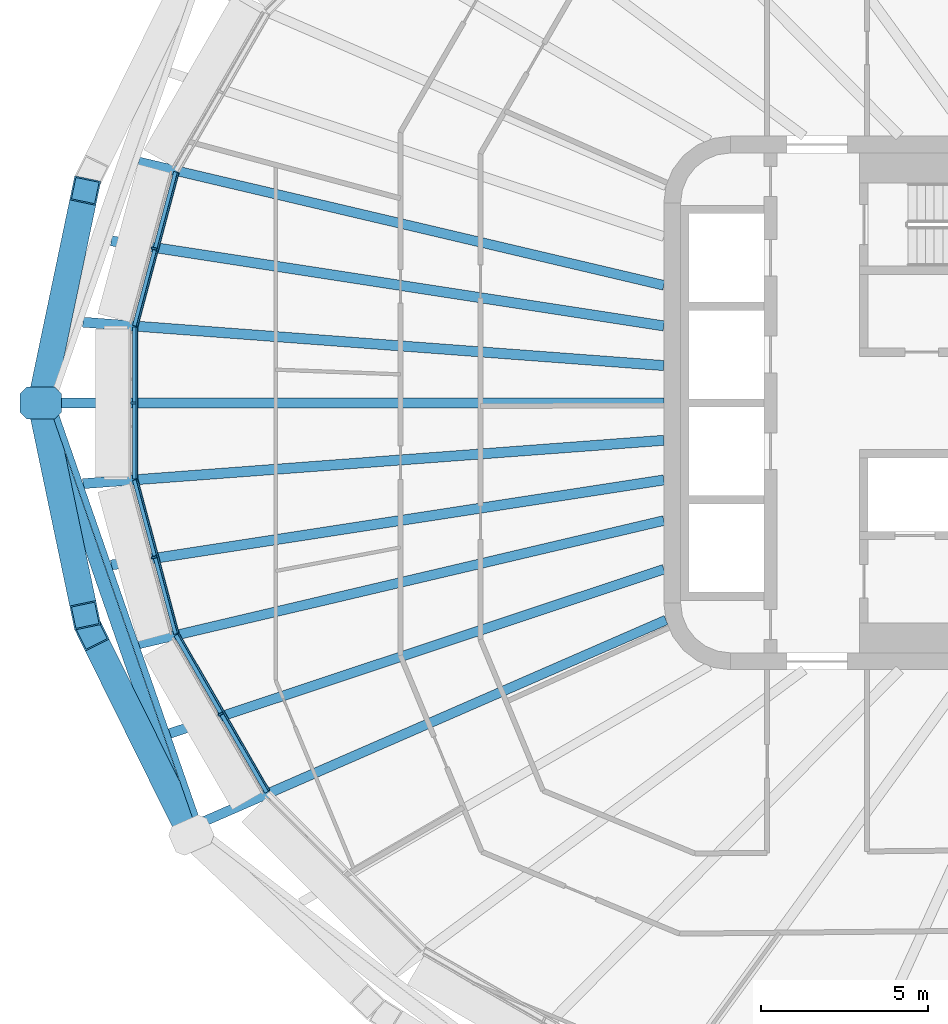
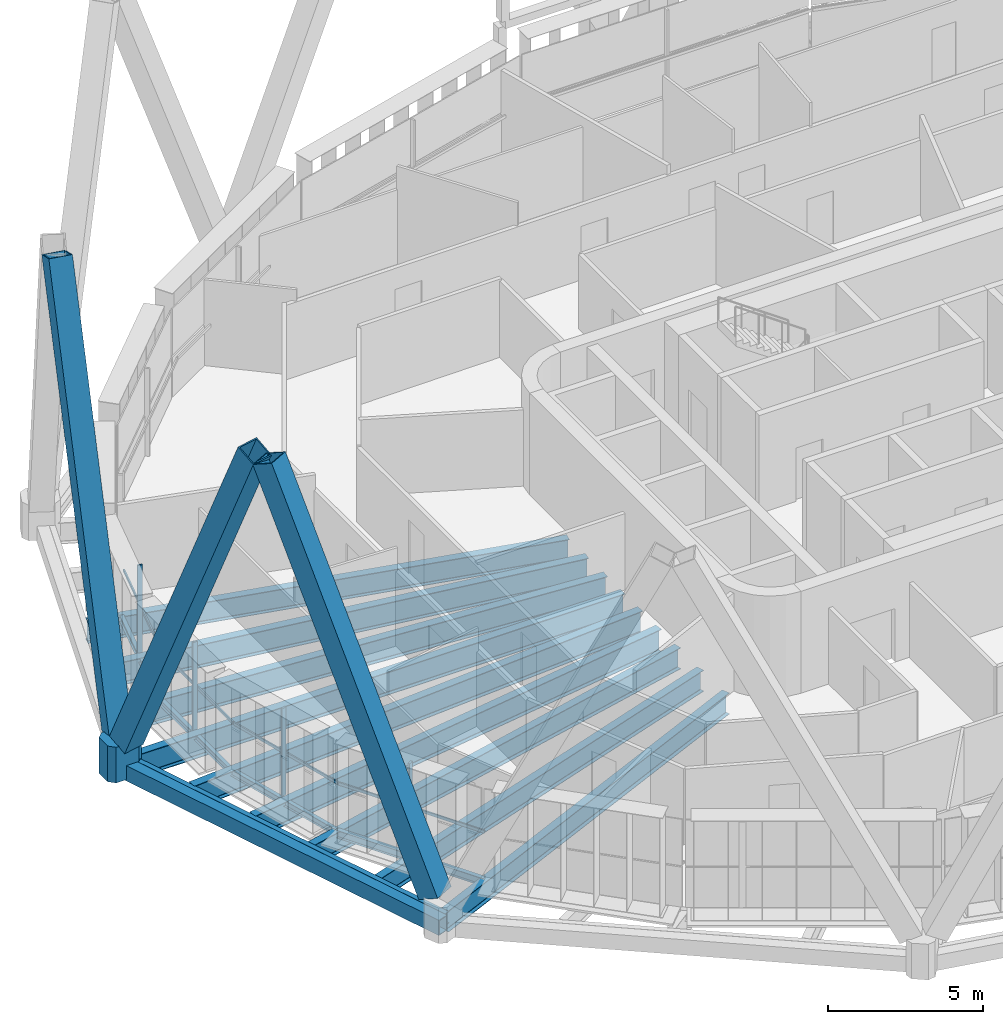
# One storey, part 2 of 25: 15 beams, 12 members, 4 elements without a shape of their own.
"""IFC4 building model written with IfcOpenShell, lengths in metres."""

from ifc_helpers import new_model, si_unit, direction, frame, origin, origin_2d, place, context, subcontext, project, spatial, polyline, rectangle, hollow_rectangle, i_section, outline, extrude, material, layer, layer_set, material_profile, profile_set, type_object, element, aggregate, save


model = new_model("IFC4")

# Units and contexts
model_context = context("Model", 3, precision=1e-05, world=origin(), true_north=direction((0.0, 1.0)))
body_context = subcontext(model_context, "Body", "Model", "MODEL_VIEW")
ifc_project = project(units=[si_unit("LENGTHUNIT", "METRE"), si_unit("AREAUNIT", "SQUARE_METRE"), si_unit("VOLUMEUNIT", "CUBIC_METRE"), si_unit("PLANEANGLEUNIT", "RADIAN"), si_unit("MASSUNIT", "GRAM", prefix="KILO")], contexts=[model_context])

# Site, building, storey
site_placement = place(None, origin())
site = spatial("IfcSite", under=ifc_project, at=site_placement, CompositionType="ELEMENT")
building_placement = place(site_placement, origin())
building = spatial("IfcBuilding", under=site, at=building_placement, Name="Sahrelin Media Tower", CompositionType="ELEMENT")
storey_placement = place(building_placement, frame((0.0, 0.0, 181.60009765625)))
storey = spatial("IfcBuildingStorey", under=building, at=storey_placement, Name="L38", CompositionType="ELEMENT", Elevation=181.60009765625)

# Members
ifc_material_1 = material(Name="Steel S460", Category="steel")
ifc_material_profile_1 = material_profile(ifc_material_1, hollow_rectangle(XDim=0.800048828125, YDim=0.800048828125, WallThickness=0.044921875, at=origin_2d()), Name="Diagrid diagonal DG5")
ifc_profile_set_1 = profile_set([ifc_material_profile_1], Name="Steel S460")
member_type_1 = type_object("IfcMemberType", Name="Diagrid diagonal DG5", PredefinedType="BRACE", material=ifc_profile_set_1)
for number, where, z_axis, x_axis, name in (
    (1, (-33.62060546875, 0.291259765625, 0.699951171875), (0.080128703481, 0.38302351251, 0.920256692311), (-0.978810609336, 0.204767651379, 0.0), "Diagrid diagonal D08-11"),
    (2, (-33.62060546875, -0.291259765625, 0.699951171875), (0.080128703481, -0.38302351251, 0.920256692311), (0.978810609336, 0.204767651379, 0.0), "Diagrid diagonal D08-12"),
):
    element("IfcMember", number, at=place(storey_placement, frame(where, z_axis=z_axis, x_axis=x_axis)), inside=storey, type_object=member_type_1, Name=name, PredefinedType="BRACE", context=body_context, shape_type="SweptSolid", body=[
        extrude(hollow_rectangle(XDim=0.800048828125, YDim=0.800048828125, WallThickness=0.044921875, at=origin_2d()), origin(), (0.0, 0.0, 1.0), 15.864990234375),
    ])
member_1_placement = place(storey_placement, frame((-29.3056640625, -12.6865234375, 0.699951171875), z_axis=(-0.17846698744, 0.360653950686, 0.915466144785), x_axis=(-0.896268464478, -0.44351193849, 0.0)))
element("IfcMember", 3, at=member_1_placement, inside=storey, type_object=member_type_1, Name="Diagrid diagonal D08-13", PredefinedType="BRACE", context=body_context, shape_type="SweptSolid", body=[
    extrude(hollow_rectangle(XDim=0.800048828125, YDim=0.800048828125, WallThickness=0.044921875, at=origin_2d()), origin(), (0.0, 0.0, 1.0), 15.947998046875),
])
ifc_material_profile_2 = material_profile(ifc_material_1, outline(polyline([(0.425048828125, -0.47509765625), (0.625, -0.27490234375), (0.625, 0.27490234375), (0.425048828125, 0.47509765625), (-0.425048828125, 0.47509765625), (-0.625, 0.27490234375), (-0.625, -0.27490234375), (-0.425048828125, -0.47509765625), (0.425048828125, -0.47509765625)])), Name="Diagrid node block 1250")
ifc_profile_set_2 = profile_set([ifc_material_profile_2], Name="Steel S460")
member_type_2 = type_object("IfcMemberType", Name="Diagrid node block 1250", PredefinedType="USERDEFINED", material=ifc_profile_set_2)
member_2_placement = place(storey_placement, frame((-33.681640625, 0.0, -0.7001953125), z_axis=(0.0, 0.0, 1.0), x_axis=(-1.0, 0.0, 0.0)))
element("IfcMember", 4, at=member_2_placement, inside=storey, type_object=member_type_2, Name="Diagrid node N08-06", ObjectType="NODE", PredefinedType="USERDEFINED", context=body_context, shape_type="SweptSolid", body=[
    extrude(outline(polyline([(0.425048828125, -0.47509765625), (0.625, -0.27490234375), (0.625, 0.27490234375), (0.425048828125, 0.47509765625), (-0.425048828125, 0.47509765625), (-0.625, 0.27490234375), (-0.625, -0.27490234375), (-0.425048828125, -0.47509765625), (0.425048828125, -0.47509765625)])), origin(), (0.0, 0.0, 1.0), 1.400146484375),
])

# Beams
ifc_material_profile_3 = material_profile(ifc_material_1, hollow_rectangle(XDim=0.39990234375, YDim=0.60009765625, WallThickness=0.030029296875, at=origin_2d()), Name="Diagrid ring beam RB1")
ifc_profile_set_3 = profile_set([ifc_material_profile_3], Name="Steel S460")
beam_type_1 = type_object("IfcBeamType", Name="Diagrid ring beam RB1", PredefinedType="BEAM", material=ifc_profile_set_3)
beam_1_placement = place(storey_placement, frame((-33.681640625, 0.0, -0.4501953125), z_axis=(0.328766909565, -0.944411096491, 0.0), x_axis=(0.944411096491, 0.328766909565, 0.0)))
element("IfcBeam", 5, at=beam_1_placement, inside=storey, type_object=beam_type_1, Name="Diagrid ring beam RB08-06", PredefinedType="BEAM", context=body_context, shape_type="SweptSolid", body=[
    extrude(hollow_rectangle(XDim=0.39990234375, YDim=0.60009765625, WallThickness=0.030029296875, at=origin_2d()), origin(), (0.0, 0.0, 1.0), 13.725341796875),
])
ifc_material_2 = material(Name="Steel S355", Category="steel")
ifc_material_profile_4 = material_profile(ifc_material_2, i_section(OverallWidth=0.14599609375, OverallDepth=0.25146484375, WebThickness=0.006103515625, FlangeThickness=0.008544921875, FilletRadius=0.007568359375, at=origin_2d()), Name="UB 254x146x31")
ifc_profile_set_4 = profile_set([ifc_material_profile_4], Name="Steel S355")
beam_type_2 = type_object("IfcBeamType", Name="Edge beam EB1", PredefinedType="BEAM", material=ifc_profile_set_4)
beam_2_placement = place(storey_placement, frame((-29.62548828125, -6.92529296875, -0.27587890625), z_axis=(-0.258794837809, 0.965932312289, 0.0), x_axis=(-0.965932312289, -0.258794837809, 0.0)))
element("IfcBeam", 6, at=beam_2_placement, inside=storey, type_object=beam_type_2, Name="Edge beam L38-12", PredefinedType="BEAM", context=body_context, shape_type="SweptSolid", body=[
    extrude(i_section(OverallWidth=0.14599609375, OverallDepth=0.25146484375, WebThickness=0.006103515625, FlangeThickness=0.008544921875, FilletRadius=0.007568359375, at=origin_2d()), origin(), (0.0, 0.0, 1.0), 4.77734375),
])
beam_3_placement = place(storey_placement, frame((-30.865478515625, -2.2822265625, -0.27587890625), z_axis=(0.0, 1.0, 0.0), x_axis=(-1.0, 0.0, 0.0)))
element("IfcBeam", 7, at=beam_3_placement, inside=storey, type_object=beam_type_2, Name="Edge beam L38-13", PredefinedType="BEAM", context=body_context, shape_type="SweptSolid", body=[
    extrude(i_section(OverallWidth=0.14599609375, OverallDepth=0.25146484375, WebThickness=0.006103515625, FlangeThickness=0.008544921875, FilletRadius=0.007568359375, at=origin_2d()), origin(), (0.0, 0.0, 1.0), 4.564453125),
])
beam_4_placement = place(storey_placement, frame((-30.86181640625, 2.310791015625, -0.27587890625), z_axis=(0.258794837809, 0.965932312289, 0.0), x_axis=(-0.965932312289, 0.258794837809, 0.0)))
element("IfcBeam", 8, at=beam_4_placement, inside=storey, type_object=beam_type_2, Name="Edge beam L38-14", PredefinedType="BEAM", context=body_context, shape_type="SweptSolid", body=[
    extrude(i_section(OverallWidth=0.14599609375, OverallDepth=0.25146484375, WebThickness=0.006103515625, FlangeThickness=0.008544921875, FilletRadius=0.007568359375, at=origin_2d()), origin(), (0.0, 0.0, 1.0), 4.77734375),
])
ifc_material_profile_5 = material_profile(ifc_material_2, i_section(OverallWidth=0.1650390625, OverallDepth=0.303466796875, WebThickness=0.006103515625, FlangeThickness=0.01025390625, FilletRadius=0.0087890625, at=origin_2d()), Name="UB 305x165x40")
ifc_profile_set_5 = profile_set([ifc_material_profile_5], Name="Steel S355")
beam_type_3 = type_object("IfcBeamType", Name="Edge beam EB2", PredefinedType="BEAM", material=ifc_profile_set_5)
beam_5_placement = place(storey_placement, frame((-26.8916015625, -11.66748046875, -0.3017578125), z_axis=(-0.50004975141, 0.865996677889, 0.0), x_axis=(-0.865996677889, -0.50004975141, 0.0)))
element("IfcBeam", 9, at=beam_5_placement, inside=storey, type_object=beam_type_3, Name="Edge beam L38-11", PredefinedType="BEAM", context=body_context, shape_type="SweptSolid", body=[
    extrude(i_section(OverallWidth=0.1650390625, OverallDepth=0.303466796875, WebThickness=0.006103515625, FlangeThickness=0.01025390625, FilletRadius=0.0087890625, at=origin_2d()), origin(), (0.0, 0.0, 1.0), 5.4453125),
])

# Curtain wall, member
ifc_material_3 = material(Name="Champagne anodised aluminium 6063-T6", Category="aluminium")
ifc_layer = layer(ifc_material_3, 0.14990234375)
ifc_layer_set = layer_set([ifc_layer], Name="Tower ribbon curtain wall")
curtain_wall_type = type_object("IfcCurtainWallType", Name="Tower ribbon curtain wall", PredefinedType="NOTDEFINED", material=ifc_layer_set)
curtain_wall_1_placement = place(storey_placement, frame((-30.388427734375, 4.656982421875, 0.0), z_axis=(0.0, 0.0, 1.0), x_axis=(1.0, 0.0, 0.0)))
curtain_wall_1 = element("IfcCurtainWall", 10, at=curtain_wall_1_placement, inside=storey, type_object=curtain_wall_type, Name="L38:CW:L38-11", PredefinedType="NOTDEFINED")
ifc_material_profile_6 = material_profile(ifc_material_3, rectangle(XDim=0.06005859375, YDim=0.175048828125, at=origin_2d()), Name="Mullion 60x175")
ifc_profile_set_6 = profile_set([ifc_material_profile_6], Name="Champagne anodised aluminium 6063-T6")
member_type_3 = type_object("IfcMemberType", Name="Mullion 60x175 CW1B", PredefinedType="MULLION", material=ifc_profile_set_6)
member_3_placement = place(storey_placement, frame((-30.28466796875, 4.62890625, 0.0), z_axis=(0.0, 0.0, 1.0), x_axis=(-0.258830846093, -0.965922664146, 0.0)))
member_3 = element("IfcMember", 11, at=member_3_placement, type_object=member_type_3, Name="L38:CWM:L38-11", PredefinedType="MULLION", context=body_context, shape_type="SweptSolid", body=[
    extrude(rectangle(XDim=0.06005859375, YDim=0.175048828125, at=origin_2d()), origin(), (0.0, 0.0, 1.0), 3.448486328125),
])

curtain_wall_2_placement = place(storey_placement, frame((-31.015625, 0.0, 0.0), z_axis=(0.0, 0.0, 1.0), x_axis=(1.0, 0.0, 0.0)))
curtain_wall_2 = element("IfcCurtainWall", 12, at=curtain_wall_2_placement, inside=storey, type_object=curtain_wall_type, Name="L38:CW:L38-12", PredefinedType="NOTDEFINED")
member_4_placement = place(storey_placement, frame((-30.908203125, 0.0, 0.0), z_axis=(0.0, 0.0, 1.0), x_axis=(0.0, -1.0, 0.0)))
member_4 = element("IfcMember", 13, at=member_4_placement, type_object=member_type_3, Name="L38:CWM:L38-12", PredefinedType="MULLION", context=body_context, shape_type="SweptSolid", body=[
    extrude(rectangle(XDim=0.06005859375, YDim=0.175048828125, at=origin_2d()), origin(), (0.0, 0.0, 1.0), 3.448486328125),
])

curtain_wall_3_placement = place(storey_placement, frame((-30.388427734375, -4.65673828125, 0.0), z_axis=(0.0, 0.0, 1.0), x_axis=(1.0, 0.0, 0.0)))
curtain_wall_3 = element("IfcCurtainWall", 14, at=curtain_wall_3_placement, inside=storey, type_object=curtain_wall_type, Name="L38:CW:L38-13", PredefinedType="NOTDEFINED")
member_5_placement = place(storey_placement, frame((-30.28466796875, -4.62890625, 0.0), z_axis=(0.0, 0.0, 1.0), x_axis=(0.258830846093, -0.965922664146, 0.0)))
member_5 = element("IfcMember", 15, at=member_5_placement, type_object=member_type_3, Name="L38:CWM:L38-13", PredefinedType="MULLION", context=body_context, shape_type="SweptSolid", body=[
    extrude(rectangle(XDim=0.06005859375, YDim=0.175048828125, at=origin_2d()), origin(), (0.0, 0.0, 1.0), 3.448486328125),
])

curtain_wall_4_placement = place(storey_placement, frame((-28.383056640625, -9.384765625, 0.0), z_axis=(0.0, 0.0, 1.0), x_axis=(1.0, 0.0, 0.0)))
curtain_wall_4 = element("IfcCurtainWall", 16, at=curtain_wall_4_placement, inside=storey, type_object=curtain_wall_type, Name="L38:CW:L38-14", PredefinedType="NOTDEFINED")
member_6_placement = place(storey_placement, frame((-28.289794921875, -9.330810546875, 0.0), z_axis=(0.0, 0.0, 1.0), x_axis=(0.5, -0.866025403784, 0.0)))
member_6 = element("IfcMember", 17, at=member_6_placement, type_object=member_type_3, Name="L38:CWM:L38-14", PredefinedType="MULLION", context=body_context, shape_type="SweptSolid", body=[
    extrude(rectangle(XDim=0.06005859375, YDim=0.175048828125, at=origin_2d()), origin(), (0.0, 0.0, 1.0), 3.448486328125),
])

# Beams
ifc_material_profile_7 = material_profile(ifc_material_2, i_section(OverallWidth=0.291748046875, OverallDepth=0.8349609375, WebThickness=0.013916015625, FlangeThickness=0.018798828125, FilletRadius=0.017822265625, at=origin_2d()), Name="UB 838x292x176")
ifc_profile_set_7 = profile_set([ifc_material_profile_7], Name="Steel S355")
beam_type_4 = type_object("IfcBeamType", Name="Radial primary beam PB10", PredefinedType="BEAM", material=ifc_profile_set_7)
for number, where, z_axis, x_axis, name in (
    (18, (-15.0, 3.526611328125, -0.567626953125), (-0.973457532719, 0.228867717234, 0.0), (-0.228867717234, -0.973457532719, 0.0), "Radial beam L38-11"),
    (19, (-15.0, -3.526611328125, -0.567626953125), (-0.973457532719, -0.228867717234, 0.0), (0.228867717234, -0.973457532719, 0.0), "Radial beam L38-14"),
):
    element("IfcBeam", number, at=place(storey_placement, frame(where, z_axis=z_axis, x_axis=x_axis)), inside=storey, type_object=beam_type_4, Name=name, PredefinedType="BEAM", context=body_context, shape_type="SweptSolid", body=[
        extrude(i_section(OverallWidth=0.291748046875, OverallDepth=0.8349609375, WebThickness=0.013916015625, FlangeThickness=0.018798828125, FilletRadius=0.017822265625, at=origin_2d()), origin(), (0.0, 0.0, 1.0), 16.176025390625),
    ])
beam_6_placement = place(storey_placement, frame((-14.932861328125, -6.509765625, -0.567626953125), z_axis=(-0.916683907523, -0.399613079977, 0.0), x_axis=(0.399613079977, -0.916683907523, 0.0)))
element("IfcBeam", 20, at=beam_6_placement, inside=storey, type_object=beam_type_4, Name="Radial beam L38-15", PredefinedType="BEAM", context=body_context, shape_type="SweptSolid", body=[
    extrude(i_section(OverallWidth=0.291748046875, OverallDepth=0.8349609375, WebThickness=0.013916015625, FlangeThickness=0.018798828125, FilletRadius=0.017822265625, at=origin_2d()), origin(), (0.0, 0.0, 1.0), 15.21484375),
])
ifc_material_profile_8 = material_profile(ifc_material_2, i_section(OverallWidth=0.30322265625, OverallDepth=0.903076171875, WebThickness=0.01513671875, FlangeThickness=0.020263671875, FilletRadius=0.01904296875, at=origin_2d()), Name="UB 914x305x201")
ifc_profile_set_8 = profile_set([ifc_material_profile_8], Name="Steel S355")
beam_type_5 = type_object("IfcBeamType", Name="Radial primary beam PB11", PredefinedType="BEAM", material=ifc_profile_set_8)
for number, where, z_axis, x_axis, name in (
    (21, (-15.0, 1.120361328125, -0.6015625), (-0.997222609805, 0.07447863112, 0.0), (-0.07447863112, -0.997222609805, 0.0), "Radial beam L38-12"),
    (22, (-15.0, -1.120361328125, -0.6015625), (-0.997222609805, -0.07447863112, 0.0), (0.07447863112, -0.997222609805, 0.0), "Radial beam L38-13"),
):
    element("IfcBeam", number, at=place(storey_placement, frame(where, z_axis=z_axis, x_axis=x_axis)), inside=storey, type_object=beam_type_5, Name=name, PredefinedType="BEAM", context=body_context, shape_type="SweptSolid", body=[
        extrude(i_section(OverallWidth=0.30322265625, OverallDepth=0.903076171875, WebThickness=0.01513671875, FlangeThickness=0.020263671875, FilletRadius=0.01904296875, at=origin_2d()), origin(), (0.0, 0.0, 1.0), 17.468505859375),
    ])
ifc_material_profile_9 = material_profile(ifc_material_2, i_section(OverallWidth=0.291748046875, OverallDepth=0.8349609375, WebThickness=0.013916015625, FlangeThickness=0.018798828125, FilletRadius=0.017822265625, at=origin_2d()), Name="UB 838x292x176")
ifc_profile_set_9 = profile_set([ifc_material_profile_9], Name="Steel S355")
beam_type_6 = type_object("IfcBeamType", Name="Radial secondary beam SB10", PredefinedType="BEAM", material=ifc_profile_set_9)
beam_7_placement = place(storey_placement, frame((-15.0, -4.987548828125, -0.567626953125), z_axis=(-0.948920764558, -0.315514472869, 0.0), x_axis=(0.315514472869, -0.948920764558, 0.0)))
element("IfcBeam", 23, at=beam_7_placement, inside=storey, type_object=beam_type_6, Name="Secondary beam L38-14", PredefinedType="BEAM", context=body_context, shape_type="SweptSolid", body=[
    extrude(i_section(OverallWidth=0.291748046875, OverallDepth=0.8349609375, WebThickness=0.013916015625, FlangeThickness=0.018798828125, FilletRadius=0.017822265625, at=origin_2d()), origin(), (0.0, 0.0, 1.0), 15.609619140625),
])
ifc_material_profile_10 = material_profile(ifc_material_2, i_section(OverallWidth=0.30322265625, OverallDepth=0.903076171875, WebThickness=0.01513671875, FlangeThickness=0.020263671875, FilletRadius=0.01904296875, at=origin_2d()), Name="UB 914x305x201")
ifc_profile_set_10 = profile_set([ifc_material_profile_10], Name="Steel S355")
beam_type_7 = type_object("IfcBeamType", Name="Radial secondary beam SB11", PredefinedType="BEAM", material=ifc_profile_set_10)
beam_8_placement = place(storey_placement, frame((-15.0, 2.30908203125, -0.6015625), z_axis=(-0.988359574162, 0.152135966039, 0.0), x_axis=(-0.152135966039, -0.988359574162, 0.0)))
element("IfcBeam", 24, at=beam_8_placement, inside=storey, type_object=beam_type_7, Name="Secondary beam L38-11", PredefinedType="BEAM", context=body_context, shape_type="SweptSolid", body=[
    extrude(i_section(OverallWidth=0.30322265625, OverallDepth=0.903076171875, WebThickness=0.01513671875, FlangeThickness=0.020263671875, FilletRadius=0.01904296875, at=origin_2d()), origin(), (0.0, 0.0, 1.0), 16.766357421875),
])
beam_9_placement = place(storey_placement, frame((-15.0, 0.0, -0.6015625), z_axis=(-1.0, 0.0, 0.0), x_axis=(0.0, -1.0, 0.0)))
element("IfcBeam", 25, at=beam_9_placement, inside=storey, type_object=beam_type_7, Name="Secondary beam L38-12", PredefinedType="BEAM", context=body_context, shape_type="SweptSolid", body=[
    extrude(i_section(OverallWidth=0.30322265625, OverallDepth=0.903076171875, WebThickness=0.01513671875, FlangeThickness=0.020263671875, FilletRadius=0.01904296875, at=origin_2d()), origin(), (0.0, 0.0, 1.0), 18.262939453125),
])
beam_10_placement = place(storey_placement, frame((-15.0, -2.30908203125, -0.6015625), z_axis=(-0.988359574162, -0.152135966039, 0.0), x_axis=(0.152135966039, -0.988359574162, 0.0)))
element("IfcBeam", 26, at=beam_10_placement, inside=storey, type_object=beam_type_7, Name="Secondary beam L38-13", PredefinedType="BEAM", context=body_context, shape_type="SweptSolid", body=[
    extrude(i_section(OverallWidth=0.30322265625, OverallDepth=0.903076171875, WebThickness=0.01513671875, FlangeThickness=0.020263671875, FilletRadius=0.01904296875, at=origin_2d()), origin(), (0.0, 0.0, 1.0), 16.766357421875),
])
ifc_material_profile_11 = material_profile(ifc_material_2, i_section(OverallWidth=0.1904296875, OverallDepth=0.45703125, WebThickness=0.009033203125, FlangeThickness=0.014404296875, FilletRadius=0.01025390625, at=origin_2d()), Name="UB 457x191x74")
ifc_profile_set_11 = profile_set([ifc_material_profile_11], Name="Steel S355")
beam_type_8 = type_object("IfcBeamType", Name="Tie chord TC5", PredefinedType="BEAM", material=ifc_profile_set_11)
beam_11_placement = place(storey_placement, frame((-28.9150390625, -12.779052734375, -0.378662109375), z_axis=(-0.328773941045, 0.944408648674, 0.0), x_axis=(-0.944408648674, -0.328773941045, 0.0)))
element("IfcBeam", 27, at=beam_11_placement, inside=storey, type_object=beam_type_8, Name="Tie chord L38-06", PredefinedType="BEAM", context=body_context, shape_type="SweptSolid", body=[
    extrude(i_section(OverallWidth=0.1904296875, OverallDepth=0.45703125, WebThickness=0.009033203125, FlangeThickness=0.014404296875, FilletRadius=0.01025390625, at=origin_2d()), origin(), (0.0, 0.0, 1.0), 13.53125),
])

# Member
ifc_material_profile_12 = material_profile(ifc_material_3, rectangle(XDim=0.050048828125, YDim=0.110107421875, at=origin_2d()), Name="Transom 50x110")
ifc_profile_set_12 = profile_set([ifc_material_profile_12], Name="Champagne anodised aluminium 6063-T6")
member_type_4 = type_object("IfcMemberType", Name="Transom 50x110 CW1B", PredefinedType="USERDEFINED", material=ifc_profile_set_12)
member_7_placement = place(storey_placement, frame((-29.561767578125, 6.891845703125, 1.599853515625), z_axis=(-0.258879232783, -0.965909697039, 0.0), x_axis=(0.965909697039, -0.258879232783, 0.0)))
member_7 = element("IfcMember", 28, at=member_7_placement, type_object=member_type_4, Name="L38:CWT:L38-11", ObjectType="TRANSOM", PredefinedType="USERDEFINED", context=body_context, shape_type="SweptSolid", body=[
    extrude(rectangle(XDim=0.050048828125, YDim=0.110107421875, at=origin_2d()), origin(), (0.0, 0.0, 1.0), 4.74560546875),
])

aggregate(curtain_wall_1, [member_3, member_7])

member_8_placement = place(storey_placement, frame((-30.795654296875, 2.2666015625, 1.599853515625), z_axis=(0.0, -1.0, 0.0), x_axis=(1.0, 0.0, 0.0)))
member_8 = element("IfcMember", 29, at=member_8_placement, type_object=member_type_4, Name="L38:CWT:L38-12", ObjectType="TRANSOM", PredefinedType="USERDEFINED", context=body_context, shape_type="SweptSolid", body=[
    extrude(rectangle(XDim=0.050048828125, YDim=0.110107421875, at=origin_2d()), origin(), (0.0, 0.0, 1.0), 4.533203125),
])

aggregate(curtain_wall_2, [member_4, member_8])

member_9_placement = place(storey_placement, frame((-30.790283203125, -2.30810546875, 1.599853515625), z_axis=(0.258879232783, -0.965909697039, 0.0), x_axis=(0.965909697039, 0.258879232783, 0.0)))
member_9 = element("IfcMember", 30, at=member_9_placement, type_object=member_type_4, Name="L38:CWT:L38-13", ObjectType="TRANSOM", PredefinedType="USERDEFINED", context=body_context, shape_type="SweptSolid", body=[
    extrude(rectangle(XDim=0.050048828125, YDim=0.110107421875, at=origin_2d()), origin(), (0.0, 0.0, 1.0), 4.74560546875),
])

aggregate(curtain_wall_3, [member_5, member_9])

member_10_placement = place(storey_placement, frame((-29.5458984375, -6.930419921875, 1.599853515625), z_axis=(0.499985301743, -0.866033889661, 0.0), x_axis=(0.866033889661, 0.499985301743, 0.0)))
member_10 = element("IfcMember", 31, at=member_10_placement, type_object=member_type_4, Name="L38:CWT:L38-14", ObjectType="TRANSOM", PredefinedType="USERDEFINED", context=body_context, shape_type="SweptSolid", body=[
    extrude(rectangle(XDim=0.050048828125, YDim=0.110107421875, at=origin_2d()), origin(), (0.0, 0.0, 1.0), 5.413818359375),
])

aggregate(curtain_wall_4, [member_6, member_10])

save(model, "model.ifc")
